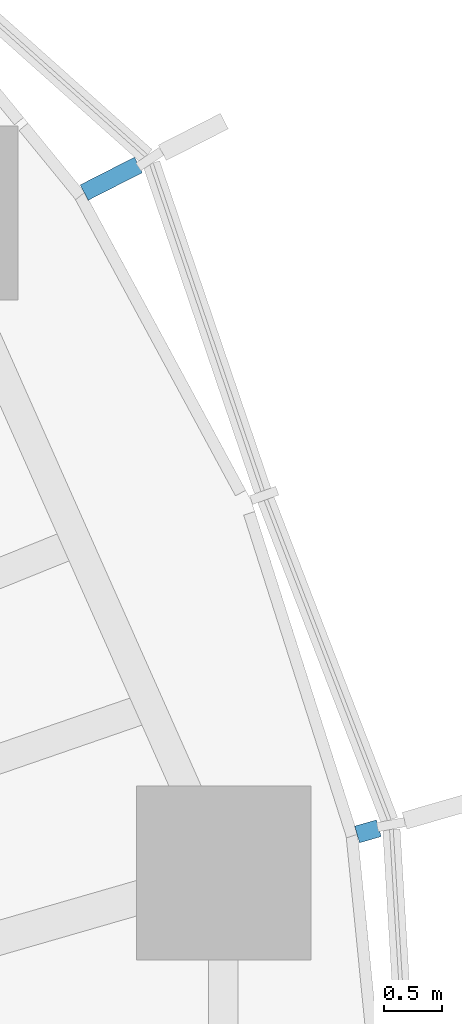
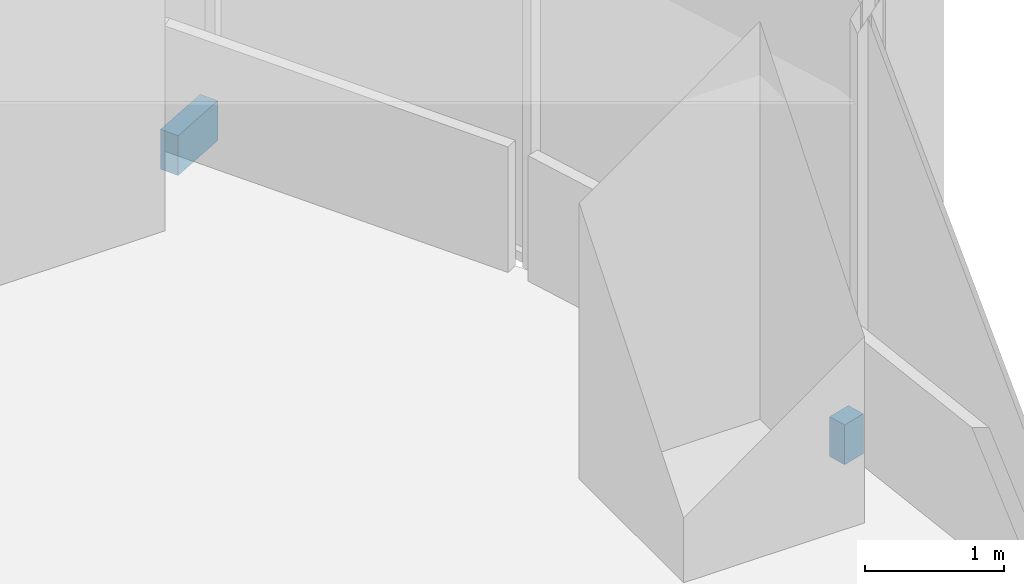
# One storey, part 16 of 18: 2 discrete accessories.
"""IFC4 building model written with IfcOpenShell, lengths in metres."""

import ifcopenshell
import ifcopenshell.guid

model = None  # the IFC model being written
_history = None  # IfcOwnerHistory: only IFC2X3 demands one
_inside = {}  # id of a spatial element -> (the spatial element, [elements in it])
_under = {}  # id of a project, library or spatial element -> (it, [spatial elements below it])
_declared = {}  # id of a project -> (the project, [libraries it declares])
_typed = {}  # id of a type object -> (the type object, [elements of that type])
_made_of = {}  # id of a material, layer set ... -> (it, [elements and type objects made of it])


def new_model(schema):
    """Start an empty IFC model of exactly this schema.

    Asked for "IFC4X3", IfcOpenShell would pick the latest addendum, in which some entities
    have other attributes; the version numbers below select the first issue.
    IFC2X3 requires an IfcOwnerHistory on every rooted entity: one is made here for all.
    """
    global model, _history
    if schema == "IFC4X3":
        model = ifcopenshell.file(schema_version=(4, 3, 0, 0))
    else:
        model = ifcopenshell.file(schema=schema)
    _inside.clear()
    _under.clear()
    _declared.clear()
    _typed.clear()
    _made_of.clear()
    _history = None
    if model.schema == "IFC2X3":
        org = make("IfcOrganization", Name="unknown")
        user = make(
            "IfcPersonAndOrganization",
            ThePerson=make("IfcPerson", FamilyName="unknown"),
            TheOrganization=org,
        )
        app = make(
            "IfcApplication",
            ApplicationDeveloper=org,
            Version="unknown",
            ApplicationFullName="unknown",
            ApplicationIdentifier="unknown",
        )
        _history = make(
            "IfcOwnerHistory",
            OwningUser=user,
            OwningApplication=app,
            ChangeAction="ADDED",
            CreationDate=0,
        )
    return model


def make(cls, **values):
    """One entity of the class cls with the attributes given. An attribute that is None is left unset."""
    return model.create_entity(
        cls, **{name: value for name, value in values.items() if value is not None}
    )


def rooted(cls, **values):
    """An entity with a GlobalId (a new one), such as an element, a storey or a relation."""
    return make(cls, GlobalId=ifcopenshell.guid.new(), OwnerHistory=_history, **values)


def si_unit(unit_type, name, prefix=None):
    """IfcSIUnit, for example si_unit("LENGTHUNIT", "METRE", prefix="MILLI")."""
    return make("IfcSIUnit", UnitType=unit_type, Prefix=prefix, Name=name)


def assignment(units):
    """IfcUnitAssignment: the units of a project."""
    return None if units is None else make("IfcUnitAssignment", Units=units)


def point(xyz):
    """IfcCartesianPoint."""
    return None if xyz is None else make("IfcCartesianPoint", Coordinates=xyz)


def direction(xyz):
    """IfcDirection."""
    return None if xyz is None else make("IfcDirection", DirectionRatios=xyz)


def frame(location, z_axis=None, x_axis=None):
    """IfcAxis2Placement3D, a coordinate frame: its origin and axes. An axis left out is left unset."""
    return make(
        "IfcAxis2Placement3D",
        Location=point(location),
        Axis=direction(z_axis),
        RefDirection=direction(x_axis),
    )


def frame_2d(location, x_axis=None):
    """IfcAxis2Placement2D, a coordinate frame in the plane: its origin and x axis."""
    return make(
        "IfcAxis2Placement2D", Location=point(location), RefDirection=direction(x_axis)
    )


def origin():
    """The frame at (0, 0, 0) with its axes left unset."""
    return frame((0.0, 0.0, 0.0))


def origin_2d():
    """The frame at (0, 0) in the plane with its x axis left unset."""
    return frame_2d((0.0, 0.0))


def place(relative_to, where):
    """IfcLocalPlacement: puts the frame where relative to a parent placement (None: the world)."""
    return make(
        "IfcLocalPlacement", PlacementRelTo=relative_to, RelativePlacement=where
    )


def context(
    kind, dimensions, precision=None, world=None, true_north=None, identifier=None
):
    """IfcGeometricRepresentationContext, for example the 3D "Model" context."""
    return make(
        "IfcGeometricRepresentationContext",
        ContextIdentifier=identifier,
        ContextType=kind,
        CoordinateSpaceDimension=dimensions,
        Precision=precision,
        WorldCoordinateSystem=world,
        TrueNorth=true_north,
    )


def subcontext(parent, identifier, kind, view, scale=None):
    """IfcGeometricRepresentationSubContext, for example "Body" below "Model"."""
    return make(
        "IfcGeometricRepresentationSubContext",
        ContextIdentifier=identifier,
        ContextType=kind,
        ParentContext=parent,
        TargetScale=scale,
        TargetView=view,
    )


def project(units=None, contexts=None):
    """IfcProject with its units and contexts."""
    return rooted(
        "IfcProject",
        Name="project",
        RepresentationContexts=contexts,
        UnitsInContext=assignment(units),
    )


def spatial(cls, under=None, at=None, **own):
    """A site, building, storey or space (cls), placed at a placement, below another one or the project."""
    s = rooted(cls, ObjectPlacement=at, **own)
    if under is not None:
        _under.setdefault(under.id(), (under, []))[1].append(s)
    return s


def profile(cls, at=None, kind="AREA", **sizes):
    """A parametric profile (cls). Its sizes go by their IFC names, for example OverallWidth=200.0."""
    return make(cls, ProfileType=kind, Position=at, **sizes)


def rectangle(**sizes):
    """IfcRectangleProfileDef."""
    return profile("IfcRectangleProfileDef", **sizes)


def extrude(swept, where, along, depth):
    """IfcExtrudedAreaSolid: the profile swept, set in the frame where, extruded along a direction by depth."""
    return make(
        "IfcExtrudedAreaSolid",
        SweptArea=swept,
        Position=where,
        ExtrudedDirection=direction(along),
        Depth=depth,
    )


def shape(context_of_items, identifier, shape_type, items):
    """IfcShapeRepresentation: the items that make up one representation, for example the "Body"."""
    return make(
        "IfcShapeRepresentation",
        ContextOfItems=context_of_items,
        RepresentationIdentifier=identifier,
        RepresentationType=shape_type,
        Items=items,
    )


def material(Name=None, Category=None):
    """IfcMaterial."""
    return make("IfcMaterial", Name=Name, Category=Category)


def made_of(thing, what):
    """Note that an element or type object is made of a material, layer set ...; save() writes the relation."""
    if what is not None:
        _made_of.setdefault(what.id(), (what, []))[1].append(thing)
    return thing


def type_object(cls, material=None, **own):
    """A type object (cls), such as IfcWallType, which elements share."""
    return made_of(rooted(cls, **own), material)


def element(
    cls,
    number,
    at=None,
    inside=None,
    cuts=None,
    type_object=None,
    material=None,
    context=None,
    identifier="Body",
    shape_type=None,
    held_by="IfcProductDefinitionShape",
    body=None,
    shapes=None,
    **own,
):
    """One element of the class cls, such as IfcWall. Its Tag is "e" and its number.

    at: its placement. inside: the storey or other place that contains it. cuts: it is an
    opening in that element (IfcRelVoidsElement). A single representation is given by context,
    identifier, shape_type and body (its items); several are given by shapes. held_by: the class
    of the entity that holds the representations. save() writes the other relations.
    """
    e = rooted(cls, Tag="e%d" % number, ObjectPlacement=at, **own)
    if body is not None:
        shapes = [shape(context, identifier, shape_type, body)]
    if shapes is not None:
        e.Representation = make(held_by, Representations=shapes)
    if inside is not None:
        _inside.setdefault(inside.id(), (inside, []))[1].append(e)
    if cuts is not None:
        rooted(
            "IfcRelVoidsElement", RelatingBuildingElement=cuts, RelatedOpeningElement=e
        )
    if type_object is not None:
        _typed.setdefault(type_object.id(), (type_object, []))[1].append(e)
    return made_of(e, material)


def aggregate(whole, parts):
    """IfcRelAggregates: a whole, such as a stair, and the parts it consists of."""
    return rooted("IfcRelAggregates", RelatingObject=whole, RelatedObjects=parts)


def save(model, path):
    """Write the relations noted so far, then the file.

    IfcRelAggregates (storeys below a building ...), IfcRelContainedInSpatialStructure (elements
    in a storey), IfcRelDefinesByType, IfcRelAssociatesMaterial and IfcRelDeclares: one each for
    every whole, place, type object, material and project.
    """
    for whole, parts in _under.values():
        aggregate(whole, parts)
    for where, things in _inside.values():
        rooted(
            "IfcRelContainedInSpatialStructure",
            RelatedElements=things,
            RelatingStructure=where,
        )
    for kind, things in _typed.values():
        rooted("IfcRelDefinesByType", RelatedObjects=things, RelatingType=kind)
    for what, things in _made_of.values():
        rooted("IfcRelAssociatesMaterial", RelatedObjects=things, RelatingMaterial=what)
    for by, libraries in _declared.values():
        rooted("IfcRelDeclares", RelatingContext=by, RelatedDefinitions=libraries)
    model.write(path)


model = new_model("IFC4")

# Units and contexts
model_context = context("Model", 3, precision=1e-05, world=origin(), true_north=direction((0.0, 1.0)))
body_context = subcontext(model_context, "Body", "Model", "MODEL_VIEW")
ifc_project = project(units=[si_unit("LENGTHUNIT", "METRE"), si_unit("AREAUNIT", "SQUARE_METRE"), si_unit("VOLUMEUNIT", "CUBIC_METRE"), si_unit("PLANEANGLEUNIT", "RADIAN"), si_unit("MASSUNIT", "GRAM", prefix="KILO")], contexts=[model_context])

# Site, building, storey
site_placement = place(None, origin())
site = spatial("IfcSite", under=ifc_project, at=site_placement, CompositionType="ELEMENT")
building_placement = place(site_placement, origin())
building = spatial("IfcBuilding", under=site, at=building_placement, Name="Ghaith Harvest Tower", CompositionType="ELEMENT")
storey_placement = place(building_placement, frame((0.0, 0.0, 113.39990234375)))
storey = spatial("IfcBuildingStorey", under=building, at=storey_placement, Name="L23", CompositionType="ELEMENT", Elevation=113.39990234375)

# Discrete accessories
ifc_material_1 = material(Name="Stainless steel grade 1.4401", Category="steel")
discrete_accessory_type_1 = type_object("IfcDiscreteAccessoryType", Name="CURTAIN WALL BRACKET 195", PredefinedType="BRACKET", material=ifc_material_1)
discrete_accessory_1_placement = place(storey_placement, frame((30.528076171875, 8.8232421875, -0.25), z_axis=(0.0, 0.0, 1.0), x_axis=(0.960680349985, 0.277656739792, 0.0)))
element("IfcDiscreteAccessory", 1, at=discrete_accessory_1_placement, inside=storey, type_object=discrete_accessory_type_1, Name="CW-L bracket 1 bay 02 L23", PredefinedType="BRACKET", context=body_context, shape_type="SweptSolid", body=[
    extrude(rectangle(XDim=0.195068359375, YDim=0.14990234375, at=origin_2d()), origin(), (0.0, 0.0, 1.0), 0.35009765625),
])
ifc_material_2 = material(Name="Stainless steel grade 1.4401", Category="steel")
discrete_accessory_type_2 = type_object("IfcDiscreteAccessoryType", Name="CURTAIN WALL BRACKET 525", PredefinedType="BRACKET", material=ifc_material_2)
discrete_accessory_2_placement = place(storey_placement, frame((28.318115234375, 14.442626953125, -0.25), z_axis=(0.0, 0.0, 1.0), x_axis=(0.890830752257, 0.454335306611, 0.0)))
element("IfcDiscreteAccessory", 2, at=discrete_accessory_2_placement, inside=storey, type_object=discrete_accessory_type_2, Name="CW-L bracket 3 bay 02 L23", PredefinedType="BRACKET", context=body_context, shape_type="SweptSolid", body=[
    extrude(rectangle(XDim=0.52490234375, YDim=0.14990234375, at=origin_2d()), origin(), (0.0, 0.0, 1.0), 0.35009765625),
])

save(model, "model.ifc")
